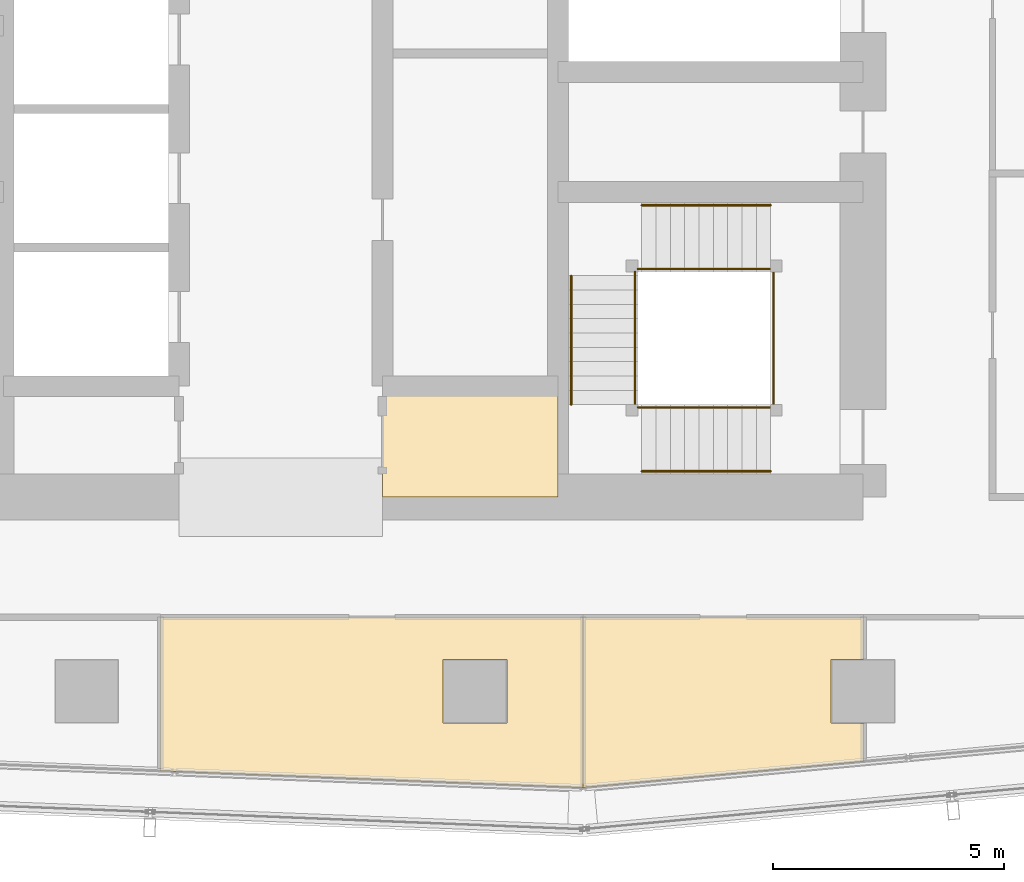
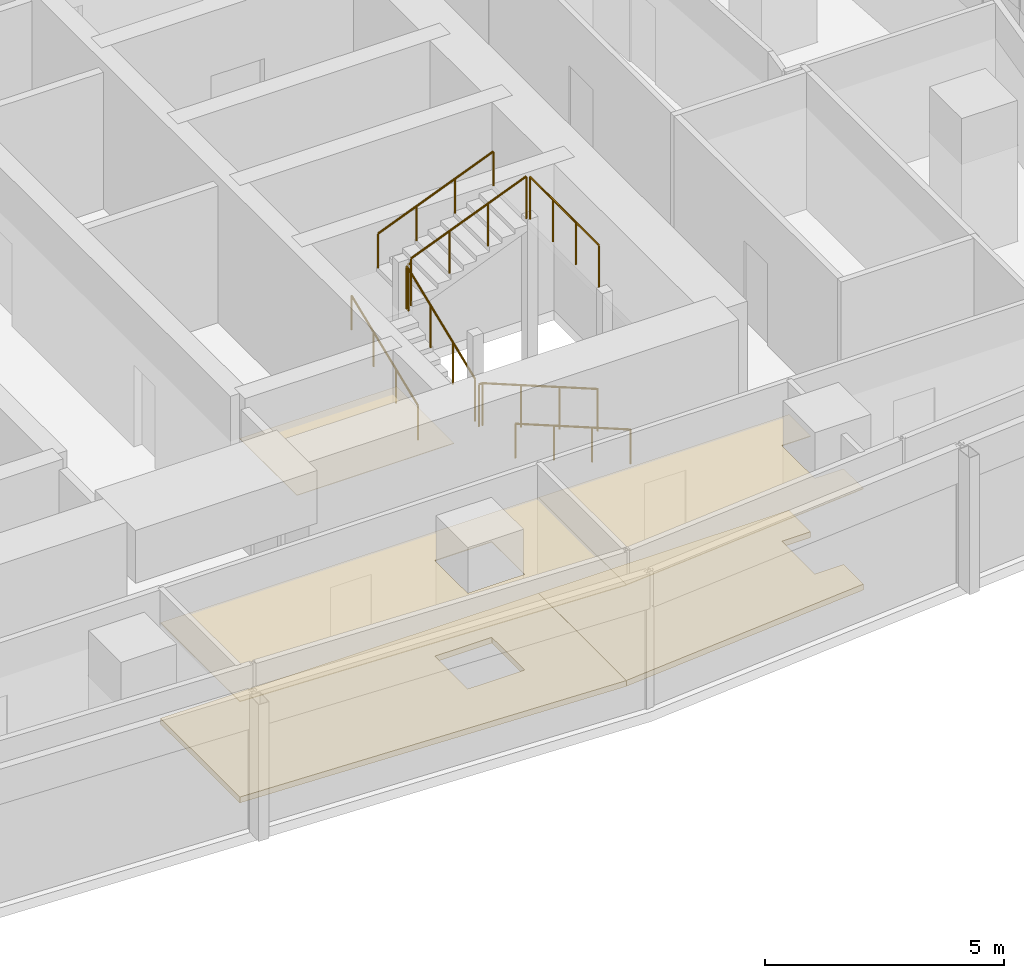
# One storey, part 32 of 35: 10 railings, 5 coverings.
"""IFC4 building model written with IfcOpenShell, lengths in metres."""

import ifcopenshell
import ifcopenshell.guid

model = None  # the IFC model being written
_history = None  # IfcOwnerHistory: only IFC2X3 demands one
_inside = {}  # id of a spatial element -> (the spatial element, [elements in it])
_under = {}  # id of a project, library or spatial element -> (it, [spatial elements below it])
_declared = {}  # id of a project -> (the project, [libraries it declares])
_typed = {}  # id of a type object -> (the type object, [elements of that type])
_made_of = {}  # id of a material, layer set ... -> (it, [elements and type objects made of it])


def new_model(schema):
    """Start an empty IFC model of exactly this schema.

    Asked for "IFC4X3", IfcOpenShell would pick the latest addendum, in which some entities
    have other attributes; the version numbers below select the first issue.
    IFC2X3 requires an IfcOwnerHistory on every rooted entity: one is made here for all.
    """
    global model, _history
    if schema == "IFC4X3":
        model = ifcopenshell.file(schema_version=(4, 3, 0, 0))
    else:
        model = ifcopenshell.file(schema=schema)
    _inside.clear()
    _under.clear()
    _declared.clear()
    _typed.clear()
    _made_of.clear()
    _history = None
    if model.schema == "IFC2X3":
        org = make("IfcOrganization", Name="unknown")
        user = make(
            "IfcPersonAndOrganization",
            ThePerson=make("IfcPerson", FamilyName="unknown"),
            TheOrganization=org,
        )
        app = make(
            "IfcApplication",
            ApplicationDeveloper=org,
            Version="unknown",
            ApplicationFullName="unknown",
            ApplicationIdentifier="unknown",
        )
        _history = make(
            "IfcOwnerHistory",
            OwningUser=user,
            OwningApplication=app,
            ChangeAction="ADDED",
            CreationDate=0,
        )
    return model


def make(cls, **values):
    """One entity of the class cls with the attributes given. An attribute that is None is left unset."""
    return model.create_entity(
        cls, **{name: value for name, value in values.items() if value is not None}
    )


def rooted(cls, **values):
    """An entity with a GlobalId (a new one), such as an element, a storey or a relation."""
    return make(cls, GlobalId=ifcopenshell.guid.new(), OwnerHistory=_history, **values)


def si_unit(unit_type, name, prefix=None):
    """IfcSIUnit, for example si_unit("LENGTHUNIT", "METRE", prefix="MILLI")."""
    return make("IfcSIUnit", UnitType=unit_type, Prefix=prefix, Name=name)


def assignment(units):
    """IfcUnitAssignment: the units of a project."""
    return None if units is None else make("IfcUnitAssignment", Units=units)


def point(xyz):
    """IfcCartesianPoint."""
    return None if xyz is None else make("IfcCartesianPoint", Coordinates=xyz)


def direction(xyz):
    """IfcDirection."""
    return None if xyz is None else make("IfcDirection", DirectionRatios=xyz)


def frame(location, z_axis=None, x_axis=None):
    """IfcAxis2Placement3D, a coordinate frame: its origin and axes. An axis left out is left unset."""
    return make(
        "IfcAxis2Placement3D",
        Location=point(location),
        Axis=direction(z_axis),
        RefDirection=direction(x_axis),
    )


def frame_2d(location, x_axis=None):
    """IfcAxis2Placement2D, a coordinate frame in the plane: its origin and x axis."""
    return make(
        "IfcAxis2Placement2D", Location=point(location), RefDirection=direction(x_axis)
    )


def origin():
    """The frame at (0, 0, 0) with its axes left unset."""
    return frame((0.0, 0.0, 0.0))


def origin_2d():
    """The frame at (0, 0) in the plane with its x axis left unset."""
    return frame_2d((0.0, 0.0))


def place(relative_to, where):
    """IfcLocalPlacement: puts the frame where relative to a parent placement (None: the world)."""
    return make(
        "IfcLocalPlacement", PlacementRelTo=relative_to, RelativePlacement=where
    )


def context(
    kind, dimensions, precision=None, world=None, true_north=None, identifier=None
):
    """IfcGeometricRepresentationContext, for example the 3D "Model" context."""
    return make(
        "IfcGeometricRepresentationContext",
        ContextIdentifier=identifier,
        ContextType=kind,
        CoordinateSpaceDimension=dimensions,
        Precision=precision,
        WorldCoordinateSystem=world,
        TrueNorth=true_north,
    )


def subcontext(parent, identifier, kind, view, scale=None):
    """IfcGeometricRepresentationSubContext, for example "Body" below "Model"."""
    return make(
        "IfcGeometricRepresentationSubContext",
        ContextIdentifier=identifier,
        ContextType=kind,
        ParentContext=parent,
        TargetScale=scale,
        TargetView=view,
    )


def project(units=None, contexts=None):
    """IfcProject with its units and contexts."""
    return rooted(
        "IfcProject",
        Name="project",
        RepresentationContexts=contexts,
        UnitsInContext=assignment(units),
    )


def spatial(cls, under=None, at=None, **own):
    """A site, building, storey or space (cls), placed at a placement, below another one or the project."""
    s = rooted(cls, ObjectPlacement=at, **own)
    if under is not None:
        _under.setdefault(under.id(), (under, []))[1].append(s)
    return s


def polyline(points):
    """IfcPolyline through the points."""
    return make("IfcPolyline", Points=[point(p) for p in points])


def profile(cls, at=None, kind="AREA", **sizes):
    """A parametric profile (cls). Its sizes go by their IFC names, for example OverallWidth=200.0."""
    return make(cls, ProfileType=kind, Position=at, **sizes)


def circle(**sizes):
    """IfcCircleProfileDef."""
    return profile("IfcCircleProfileDef", **sizes)


def outline(outer, holes=None, kind="AREA"):
    """IfcArbitraryClosedProfileDef: a profile drawn as a closed curve; with holes, ...WithVoids."""
    if holes is None:
        return make("IfcArbitraryClosedProfileDef", ProfileType=kind, OuterCurve=outer)
    return make(
        "IfcArbitraryProfileDefWithVoids",
        ProfileType=kind,
        OuterCurve=outer,
        InnerCurves=holes,
    )


def extrude(swept, where, along, depth):
    """IfcExtrudedAreaSolid: the profile swept, set in the frame where, extruded along a direction by depth."""
    return make(
        "IfcExtrudedAreaSolid",
        SweptArea=swept,
        Position=where,
        ExtrudedDirection=direction(along),
        Depth=depth,
    )


def shape(context_of_items, identifier, shape_type, items):
    """IfcShapeRepresentation: the items that make up one representation, for example the "Body"."""
    return make(
        "IfcShapeRepresentation",
        ContextOfItems=context_of_items,
        RepresentationIdentifier=identifier,
        RepresentationType=shape_type,
        Items=items,
    )


def material(Name=None, Category=None):
    """IfcMaterial."""
    return make("IfcMaterial", Name=Name, Category=Category)


def layer(
    of_material, thickness, ventilated=None, Name=None, Category=None, Priority=None
):
    """IfcMaterialLayer: one layer of a wall or slab, of a material (None: an air gap)."""
    return make(
        "IfcMaterialLayer",
        Material=of_material,
        LayerThickness=thickness,
        IsVentilated=ventilated,
        Name=Name,
        Category=Category,
        Priority=Priority,
    )


def layer_set(layers, Name=None):
    """IfcMaterialLayerSet."""
    return make("IfcMaterialLayerSet", MaterialLayers=layers, LayerSetName=Name)


def made_of(thing, what):
    """Note that an element or type object is made of a material, layer set ...; save() writes the relation."""
    if what is not None:
        _made_of.setdefault(what.id(), (what, []))[1].append(thing)
    return thing


def type_object(cls, material=None, **own):
    """A type object (cls), such as IfcWallType, which elements share."""
    return made_of(rooted(cls, **own), material)


def element(
    cls,
    number,
    at=None,
    inside=None,
    cuts=None,
    type_object=None,
    material=None,
    context=None,
    identifier="Body",
    shape_type=None,
    held_by="IfcProductDefinitionShape",
    body=None,
    shapes=None,
    **own,
):
    """One element of the class cls, such as IfcWall. Its Tag is "e" and its number.

    at: its placement. inside: the storey or other place that contains it. cuts: it is an
    opening in that element (IfcRelVoidsElement). A single representation is given by context,
    identifier, shape_type and body (its items); several are given by shapes. held_by: the class
    of the entity that holds the representations. save() writes the other relations.
    """
    e = rooted(cls, Tag="e%d" % number, ObjectPlacement=at, **own)
    if body is not None:
        shapes = [shape(context, identifier, shape_type, body)]
    if shapes is not None:
        e.Representation = make(held_by, Representations=shapes)
    if inside is not None:
        _inside.setdefault(inside.id(), (inside, []))[1].append(e)
    if cuts is not None:
        rooted(
            "IfcRelVoidsElement", RelatingBuildingElement=cuts, RelatedOpeningElement=e
        )
    if type_object is not None:
        _typed.setdefault(type_object.id(), (type_object, []))[1].append(e)
    return made_of(e, material)


def aggregate(whole, parts):
    """IfcRelAggregates: a whole, such as a stair, and the parts it consists of."""
    return rooted("IfcRelAggregates", RelatingObject=whole, RelatedObjects=parts)


def save(model, path):
    """Write the relations noted so far, then the file.

    IfcRelAggregates (storeys below a building ...), IfcRelContainedInSpatialStructure (elements
    in a storey), IfcRelDefinesByType, IfcRelAssociatesMaterial and IfcRelDeclares: one each for
    every whole, place, type object, material and project.
    """
    for whole, parts in _under.values():
        aggregate(whole, parts)
    for where, things in _inside.values():
        rooted(
            "IfcRelContainedInSpatialStructure",
            RelatedElements=things,
            RelatingStructure=where,
        )
    for kind, things in _typed.values():
        rooted("IfcRelDefinesByType", RelatedObjects=things, RelatingType=kind)
    for what, things in _made_of.values():
        rooted("IfcRelAssociatesMaterial", RelatedObjects=things, RelatingMaterial=what)
    for by, libraries in _declared.values():
        rooted("IfcRelDeclares", RelatingContext=by, RelatedDefinitions=libraries)
    model.write(path)


model = new_model("IFC4")

# Units and contexts
model_context = context("Model", 3, precision=1e-05, world=origin(), true_north=direction((0.0, 1.0)))
body_context = subcontext(model_context, "Body", "Model", "MODEL_VIEW")
ifc_project = project(units=[si_unit("LENGTHUNIT", "METRE"), si_unit("AREAUNIT", "SQUARE_METRE"), si_unit("VOLUMEUNIT", "CUBIC_METRE"), si_unit("PLANEANGLEUNIT", "RADIAN"), si_unit("MASSUNIT", "GRAM", prefix="KILO")], contexts=[model_context])

# Site, building, storey
site_placement = place(None, origin())
site = spatial("IfcSite", under=ifc_project, at=site_placement, CompositionType="ELEMENT")
building_placement = place(site_placement, origin())
building = spatial("IfcBuilding", under=site, at=building_placement, Name="Rekha Terrace Tower", CompositionType="ELEMENT")
storey_placement = place(building_placement, frame((0.0, 0.0, 191.449951171875)))
storey = spatial("IfcBuildingStorey", under=building, at=storey_placement, Name="L48", CompositionType="ELEMENT", Elevation=191.449951171875)

# Coverings
ifc_material_1 = material(Name="Mineral fibre tile in exposed grid", Category="finish")
ifc_layer_1 = layer(ifc_material_1, 0.02001953125)
ifc_layer_set_1 = layer_set([ifc_layer_1], Name="Mineral fibre tile in exposed grid")
covering_type_1 = type_object("IfcCoveringType", Name="CL1 600x1200 office grid ceiling", PredefinedType="CEILING", material=ifc_layer_set_1)
covering_1_placement = place(storey_placement, frame((0.0, 0.0, 2.580078125)))
element("IfcCovering", 1, at=covering_1_placement, inside=storey, type_object=covering_type_1, Name="Ceiling L48-02", PredefinedType="CEILING", context=body_context, shape_type="SweptSolid", body=[
    extrude(outline(polyline([(44.343994140625, 18.39990234375), (35.198974609375, 18.39990234375), (35.198974609375, 15.075927734375), (44.343994140625, 14.7109375), (44.343994140625, 18.39990234375)]), holes=[polyline([(42.68994140625, 17.489990234375), (42.68994140625, 16.110107421875), (41.31005859375, 16.110107421875), (41.31005859375, 17.489990234375), (42.68994140625, 17.489990234375)])]), origin(), (0.0, 0.0, 1.0), 0.02001953125),
])
covering_2_placement = place(storey_placement, frame((0.0, 0.0, 2.580078125)))
element("IfcCovering", 2, at=covering_2_placement, inside=storey, type_object=covering_type_1, Name="Ceiling L48-03", PredefinedType="CEILING", context=body_context, shape_type="SweptSolid", body=[
    extrude(outline(polyline([(50.407958984375, 17.489990234375), (50.407958984375, 18.39990234375), (44.344970703125, 18.39990234375), (44.344970703125, 14.715087890625), (50.407958984375, 15.280029296875), (50.407958984375, 16.110107421875), (49.7099609375, 16.110107421875), (49.7099609375, 17.489990234375), (50.407958984375, 17.489990234375)])), origin(), (0.0, 0.0, 1.0), 0.02001953125),
])
ifc_material_2 = material(Name="Fibre cement board", Category="finish")
ifc_layer_2 = layer(ifc_material_2, 0.014892578125)
ifc_layer_set_2 = layer_set([ifc_layer_2], Name="Fibre cement board")
covering_type_2 = type_object("IfcCoveringType", Name="CL2 moisture-resistant board ceiling", PredefinedType="CEILING", material=ifc_layer_set_2)
covering_3_placement = place(storey_placement, frame((0.0, 0.0, 2.5849609375)))
element("IfcCovering", 3, at=covering_3_placement, inside=storey, type_object=covering_type_2, Name="Ceiling L48-WCA", PredefinedType="CEILING", context=body_context, shape_type="SweptSolid", body=[
    extrude(outline(polyline([(43.800048828125, 23.39990234375), (40.0, 23.39990234375), (40.0, 21.0), (43.800048828125, 21.0), (43.800048828125, 23.39990234375)])), origin(), (0.0, 0.0, 1.0), 0.01513671875),
])

# Railings
ifc_material_3 = material(Name="Stainless steel balustrade", Category="steel")
railing_type_1 = type_object("IfcRailingType", Name="GR1 1100 stair guard", PredefinedType="GUARDRAIL", material=ifc_material_3)
railing_1_placement = place(storey_placement, frame((48.39990234375, 22.93994140625, 0.125)))
element("IfcRailing", 4, at=railing_1_placement, inside=storey, type_object=railing_type_1, Name="Guard ST3 L48 flight 1", PredefinedType="GUARDRAIL", context=body_context, shape_type="SweptSolid", body=[
    extrude(circle(Radius=0.02392578125, at=origin_2d()), frame((0.0, 0.0, 1.076171875), z_axis=(-0.927431937212, 0.0, 0.373991980981), x_axis=(0.0, -1.0, 0.0)), (0.0, 0.0, 1.0), 3.008056640625),
    extrude(circle(Radius=0.02099609375, at=origin_2d()), origin(), (0.0, 0.0, 1.0), 1.052001953125),
    extrude(circle(Radius=0.02099609375, at=origin_2d()), frame((-0.929931640625, 0.0, 0.375)), (0.0, 0.0, 1.0), 1.052001953125),
    extrude(circle(Radius=0.02099609375, at=origin_2d()), frame((-1.85986328125, 0.0, 0.75)), (0.0, 0.0, 1.0), 1.052001953125),
    extrude(circle(Radius=0.02099609375, at=origin_2d()), frame((-2.789794921875, 0.0, 1.125)), (0.0, 0.0, 1.0), 1.052001953125),
])
railing_2_placement = place(storey_placement, frame((45.465087890625, 23.0, 1.375)))
element("IfcRailing", 5, at=railing_2_placement, inside=storey, type_object=railing_type_1, Name="Guard ST3 L48 flight 2", PredefinedType="GUARDRAIL", context=body_context, shape_type="SweptSolid", body=[
    extrude(circle(Radius=0.02392578125, at=origin_2d()), frame((0.0, 0.0, 1.076171875), z_axis=(0.0, 0.927443287984, 0.373963831907), x_axis=(-1.0, 0.0, 0.0)), (0.0, 0.0, 1.0), 3.00830078125),
    extrude(circle(Radius=0.02099609375, at=origin_2d()), origin(), (0.0, 0.0, 1.0), 1.052001953125),
    extrude(circle(Radius=0.02099609375, at=origin_2d()), frame((0.0, 0.929931640625, 0.375)), (0.0, 0.0, 1.0), 1.052001953125),
    extrude(circle(Radius=0.02099609375, at=origin_2d()), frame((0.0, 1.860107421875, 0.75)), (0.0, 0.0, 1.0), 1.052001953125),
    extrude(circle(Radius=0.02099609375, at=origin_2d()), frame((0.0, 2.7900390625, 1.125)), (0.0, 0.0, 1.0), 1.052001953125),
])
railing_3_placement = place(storey_placement, frame((45.610107421875, 25.93505859375, 2.625)))
element("IfcRailing", 6, at=railing_3_placement, inside=storey, type_object=railing_type_1, Name="Guard ST3 L48 flight 3", PredefinedType="GUARDRAIL", context=body_context, shape_type="SweptSolid", body=[
    extrude(circle(Radius=0.02392578125, at=origin_2d()), frame((0.0, 0.0, 1.076171875), z_axis=(0.927431937212, 0.0, 0.373991980981), x_axis=(0.0, 1.0, 0.0)), (0.0, 0.0, 1.0), 3.008056640625),
    extrude(circle(Radius=0.02099609375, at=origin_2d()), origin(), (0.0, 0.0, 1.0), 1.052001953125),
    extrude(circle(Radius=0.02099609375, at=origin_2d()), frame((0.929931640625, 0.0, 0.375)), (0.0, 0.0, 1.0), 1.052001953125),
    extrude(circle(Radius=0.02099609375, at=origin_2d()), frame((1.85986328125, 0.0, 0.75)), (0.0, 0.0, 1.0), 1.052001953125),
    extrude(circle(Radius=0.02099609375, at=origin_2d()), frame((2.789794921875, 0.0, 1.125)), (0.0, 0.0, 1.0), 1.052001953125),
])
railing_4_placement = place(storey_placement, frame((45.610107421875, 22.93994140625, 1.25)))
element("IfcRailing", 7, at=railing_4_placement, inside=storey, type_object=railing_type_1, Name="Guard ST3 L48 landing 1", PredefinedType="GUARDRAIL", context=body_context, shape_type="SweptSolid", body=[
    extrude(circle(Radius=0.02392578125, at=origin_2d()), frame((0.0, 0.0, 1.076171875), z_axis=(-1.0, 0.0, 0.0), x_axis=(0.0, -1.0, 0.0)), (0.0, 0.0, 1.0), 0.085205078125),
    extrude(circle(Radius=0.02099609375, at=origin_2d()), origin(), (0.0, 0.0, 1.0), 1.052001953125),
    extrude(circle(Radius=0.02099609375, at=origin_2d()), frame((-0.085205078125, 0.0, 0.0)), (0.0, 0.0, 1.0), 1.052001953125),
])
railing_5_placement = place(storey_placement, frame((45.465087890625, 25.7900390625, 2.5)))
element("IfcRailing", 8, at=railing_5_placement, inside=storey, type_object=railing_type_1, Name="Guard ST3 L48 landing 2", PredefinedType="GUARDRAIL", context=body_context, shape_type="SweptSolid", body=[
    extrude(circle(Radius=0.02392578125, at=origin_2d()), frame((0.0, 0.0, 1.076171875), z_axis=(0.0, 1.0, 0.0), x_axis=(-1.0, 0.0, 0.0)), (0.0, 0.0, 1.0), 0.0849609375),
    extrude(circle(Radius=0.02099609375, at=origin_2d()), origin(), (0.0, 0.0, 1.0), 1.052001953125),
    extrude(circle(Radius=0.02099609375, at=origin_2d()), frame((0.0, 0.0849609375, 0.0)), (0.0, 0.0, 1.0), 1.052001953125),
])
railing_6_placement = place(storey_placement, frame((45.610107421875, 25.93505859375, 2.5)))
element("IfcRailing", 9, at=railing_6_placement, inside=storey, type_object=railing_type_1, Name="Guard ST3 L48 landing 3", PredefinedType="GUARDRAIL", context=body_context, shape_type="SweptSolid", body=[
    extrude(circle(Radius=0.02392578125, at=origin_2d()), frame((0.0, 0.0, 1.076171875), z_axis=(-1.0, 0.0, 0.0), x_axis=(0.0, -1.0, 0.0)), (0.0, 0.0, 1.0), 0.085205078125),
    extrude(circle(Radius=0.02099609375, at=origin_2d()), origin(), (0.0, 0.0, 1.0), 1.052001953125),
    extrude(circle(Radius=0.02099609375, at=origin_2d()), frame((-0.085205078125, 0.0, 0.0)), (0.0, 0.0, 1.0), 1.052001953125),
])
railing_7_placement = place(storey_placement, frame((48.4599609375, 23.0, 3.75)))
element("IfcRailing", 10, at=railing_7_placement, inside=storey, type_object=railing_type_1, Name="Guard ST3 L48 landing 4", PredefinedType="GUARDRAIL", context=body_context, shape_type="SweptSolid", body=[
    extrude(circle(Radius=0.02392578125, at=origin_2d()), frame((0.0, 0.0, 1.076171875), z_axis=(0.0, 1.0, 0.0), x_axis=(-1.0, 0.0, 0.0)), (0.0, 0.0, 1.0), 2.875),
    extrude(circle(Radius=0.02099609375, at=origin_2d()), origin(), (0.0, 0.0, 1.0), 1.052001953125),
    extrude(circle(Radius=0.02099609375, at=origin_2d()), frame((0.0, 0.958251953125, 0.0)), (0.0, 0.0, 1.0), 1.052001953125),
    extrude(circle(Radius=0.02099609375, at=origin_2d()), frame((0.0, 1.916748046875, 0.0)), (0.0, 0.0, 1.0), 1.052001953125),
    extrude(circle(Radius=0.02099609375, at=origin_2d()), frame((0.0, 2.875, 0.0)), (0.0, 0.0, 1.0), 1.052001953125),
])
ifc_material_4 = material(Name="Stainless steel tube", Category="steel")
railing_type_2 = type_object("IfcRailingType", Name="HR1 900 stair handrail", PredefinedType="HANDRAIL", material=ifc_material_4)
railing_8_placement = place(storey_placement, frame((48.39990234375, 21.56005859375, 0.125)))
element("IfcRailing", 11, at=railing_8_placement, inside=storey, type_object=railing_type_2, Name="Handrail ST3 L48 flight 1", PredefinedType="HANDRAIL", context=body_context, shape_type="SweptSolid", body=[
    extrude(circle(Radius=0.02392578125, at=origin_2d()), frame((0.0, 0.0, 0.8759765625), z_axis=(-0.927431937212, 0.0, 0.373991980981), x_axis=(0.0, -1.0, 0.0)), (0.0, 0.0, 1.0), 3.008056640625),
    extrude(circle(Radius=0.02099609375, at=origin_2d()), origin(), (0.0, 0.0, 1.0), 0.851806640625),
    extrude(circle(Radius=0.02099609375, at=origin_2d()), frame((-0.929931640625, 0.0, 0.375)), (0.0, 0.0, 1.0), 0.851806640625),
    extrude(circle(Radius=0.02099609375, at=origin_2d()), frame((-1.85986328125, 0.0, 0.75)), (0.0, 0.0, 1.0), 0.851806640625),
    extrude(circle(Radius=0.02099609375, at=origin_2d()), frame((-2.789794921875, 0.0, 1.125)), (0.0, 0.0, 1.0), 0.851806640625),
])
railing_9_placement = place(storey_placement, frame((44.0849609375, 23.0, 1.375)))
element("IfcRailing", 12, at=railing_9_placement, inside=storey, type_object=railing_type_2, Name="Handrail ST3 L48 flight 2", PredefinedType="HANDRAIL", context=body_context, shape_type="SweptSolid", body=[
    extrude(circle(Radius=0.02392578125, at=origin_2d()), frame((0.0, 0.0, 0.8759765625), z_axis=(0.0, 0.927443287984, 0.373963831907), x_axis=(-1.0, 0.0, 0.0)), (0.0, 0.0, 1.0), 3.00830078125),
    extrude(circle(Radius=0.02099609375, at=origin_2d()), origin(), (0.0, 0.0, 1.0), 0.851806640625),
    extrude(circle(Radius=0.02099609375, at=origin_2d()), frame((0.0, 0.929931640625, 0.375)), (0.0, 0.0, 1.0), 0.851806640625),
    extrude(circle(Radius=0.02099609375, at=origin_2d()), frame((0.0, 1.860107421875, 0.75)), (0.0, 0.0, 1.0), 0.851806640625),
    extrude(circle(Radius=0.02099609375, at=origin_2d()), frame((0.0, 2.7900390625, 1.125)), (0.0, 0.0, 1.0), 0.851806640625),
])
railing_10_placement = place(storey_placement, frame((45.610107421875, 27.31494140625, 2.625)))
element("IfcRailing", 13, at=railing_10_placement, inside=storey, type_object=railing_type_2, Name="Handrail ST3 L48 flight 3", PredefinedType="HANDRAIL", context=body_context, shape_type="SweptSolid", body=[
    extrude(circle(Radius=0.02392578125, at=origin_2d()), frame((0.0, 0.0, 0.8759765625), z_axis=(0.927431937212, 0.0, 0.373991980981), x_axis=(0.0, 1.0, 0.0)), (0.0, 0.0, 1.0), 3.008056640625),
    extrude(circle(Radius=0.02099609375, at=origin_2d()), origin(), (0.0, 0.0, 1.0), 0.851806640625),
    extrude(circle(Radius=0.02099609375, at=origin_2d()), frame((0.929931640625, 0.0, 0.375)), (0.0, 0.0, 1.0), 0.851806640625),
    extrude(circle(Radius=0.02099609375, at=origin_2d()), frame((1.85986328125, 0.0, 0.75)), (0.0, 0.0, 1.0), 0.851806640625),
    extrude(circle(Radius=0.02099609375, at=origin_2d()), frame((2.789794921875, 0.0, 1.125)), (0.0, 0.0, 1.0), 0.851806640625),
])

# Coverings
ifc_material_5 = material(Name="Calcium sulphate panels on steel pedestals", Category="steel")
ifc_layer_3 = layer(ifc_material_5, 0.14990234375)
ifc_layer_set_3 = layer_set([ifc_layer_3], Name="Calcium sulphate panels on steel pedestals")
covering_type_3 = type_object("IfcCoveringType", Name="RF1 150 raised access floor", PredefinedType="FLOORING", material=ifc_layer_set_3)
covering_4_placement = place(storey_placement, origin())
element("IfcCovering", 14, at=covering_4_placement, inside=storey, type_object=covering_type_3, Name="Raised floor L48-02", PredefinedType="FLOORING", context=body_context, shape_type="SweptSolid", body=[
    extrude(outline(polyline([(44.343994140625, 18.39990234375), (35.198974609375, 18.39990234375), (35.198974609375, 15.075927734375), (44.343994140625, 14.7109375), (44.343994140625, 18.39990234375)]), holes=[polyline([(42.68994140625, 17.489990234375), (42.68994140625, 16.110107421875), (41.31005859375, 16.110107421875), (41.31005859375, 17.489990234375), (42.68994140625, 17.489990234375)])]), origin(), (0.0, 0.0, 1.0), 0.150146484375),
])
covering_5_placement = place(storey_placement, origin())
element("IfcCovering", 15, at=covering_5_placement, inside=storey, type_object=covering_type_3, Name="Raised floor L48-03", PredefinedType="FLOORING", context=body_context, shape_type="SweptSolid", body=[
    extrude(outline(polyline([(50.407958984375, 17.489990234375), (50.407958984375, 18.39990234375), (44.344970703125, 18.39990234375), (44.344970703125, 14.715087890625), (50.407958984375, 15.280029296875), (50.407958984375, 16.110107421875), (49.7099609375, 16.110107421875), (49.7099609375, 17.489990234375), (50.407958984375, 17.489990234375)])), origin(), (0.0, 0.0, 1.0), 0.150146484375),
])

save(model, "model.ifc")
